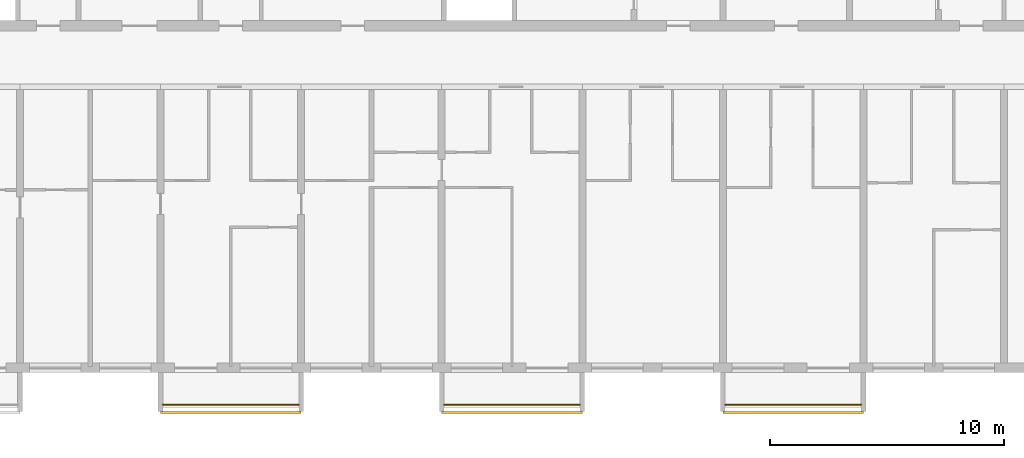
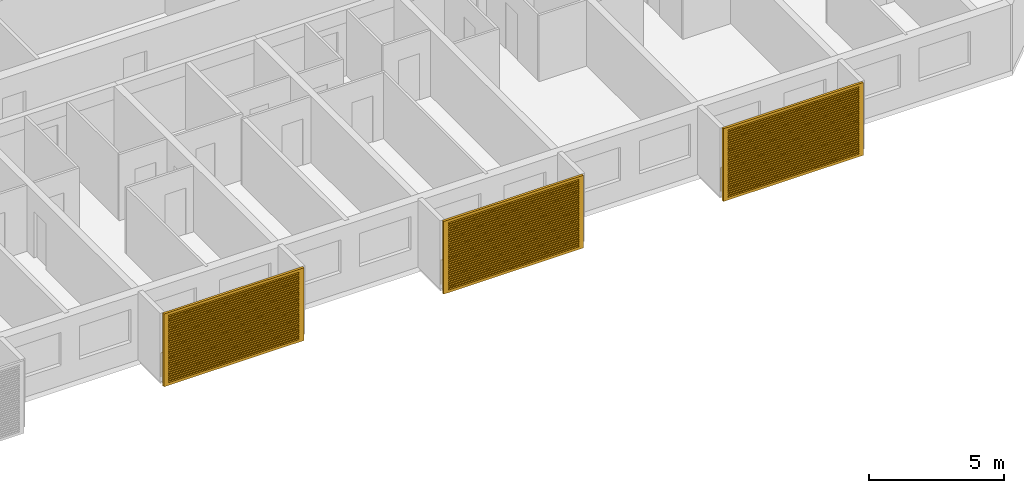
# One storey, part 15 of 32: 3 railings, 3 shading devices.
"""IFC4 building model written with IfcOpenShell, lengths in metres."""

from ifc_helpers import new_model, si_unit, direction, frame, origin, origin_2d, place, context, subcontext, project, spatial, polyline, circle, outline, extrude, source, transform, mapped, material, material_profile, profile_set, type_object, element, save


model = new_model("IFC4")

# Units and contexts
model_context = context("Model", 3, precision=1e-05, world=origin(), true_north=direction((0.0, 1.0)))
body_context = subcontext(model_context, "Body", "Model", "MODEL_VIEW")
ifc_project = project(units=[si_unit("LENGTHUNIT", "METRE"), si_unit("AREAUNIT", "SQUARE_METRE"), si_unit("VOLUMEUNIT", "CUBIC_METRE"), si_unit("PLANEANGLEUNIT", "RADIAN"), si_unit("MASSUNIT", "GRAM", prefix="KILO")], contexts=[model_context])

# Site, building, storey
site_placement = place(None, origin())
site = spatial("IfcSite", under=ifc_project, at=site_placement, CompositionType="ELEMENT")
building_placement = place(site_placement, origin())
building = spatial("IfcBuilding", under=site, at=building_placement, Name="Poui Terraces", CompositionType="ELEMENT")
storey_placement = place(building_placement, frame((0.0, 0.0, 155.39990234375)))
storey = spatial("IfcBuildingStorey", under=building, at=storey_placement, Name="L43", CompositionType="ELEMENT", Elevation=155.39990234375)

# Railings
ifc_material_1 = material(Name="Painted steel fretwork", Category="steel")
railing_type = type_object("IfcRailingType", Name="BALCONY GUARD 1100", PredefinedType="GUARDRAIL", material=ifc_material_1)
for number, where, name in (
    (1, (48.10009765625, -1.570068359375, 0.0), "BALCONY GUARD"),
    (2, (60.10009765625, -1.570068359375, 0.0), "BALCONY GUARD"),
    (3, (72.10009765625, -1.570068359375, 0.0), "BALCONY GUARD"),
):
    element("IfcRailing", number, at=place(storey_placement, frame(where)), inside=storey, type_object=railing_type, Name=name, PredefinedType="GUARDRAIL", context=body_context, shape_type="SweptSolid", body=[
        extrude(circle(Radius=0.02392578125, at=origin_2d()), frame((0.0, 0.0, 1.076171875), z_axis=(1.0, 0.0, 0.0), x_axis=(0.0, 1.0, 0.0)), (0.0, 0.0, 1.0), 5.7998046875),
        extrude(circle(Radius=0.02099609375, at=origin_2d()), origin(), (0.0, 0.0, 1.0), 1.052001953125),
        extrude(circle(Radius=0.02099609375, at=origin_2d()), frame((0.966552734375, 0.0, 0.0)), (0.0, 0.0, 1.0), 1.052001953125),
        extrude(circle(Radius=0.02099609375, at=origin_2d()), frame((1.933349609375, 0.0, 0.0)), (0.0, 0.0, 1.0), 1.052001953125),
        extrude(circle(Radius=0.02099609375, at=origin_2d()), frame((2.89990234375, 0.0, 0.0)), (0.0, 0.0, 1.0), 1.052001953125),
        extrude(circle(Radius=0.02099609375, at=origin_2d()), frame((3.866455078125, 0.0, 0.0)), (0.0, 0.0, 1.0), 1.052001953125),
        extrude(circle(Radius=0.02099609375, at=origin_2d()), frame((4.833251953125, 0.0, 0.0)), (0.0, 0.0, 1.0), 1.052001953125),
        extrude(circle(Radius=0.02099609375, at=origin_2d()), frame((5.7998046875, 0.0, 0.0)), (0.0, 0.0, 1.0), 1.052001953125),
    ])

# Shading devices
ifc_material_2 = material(Name="Aluminium louvre", Category="aluminium")
ifc_material_profile = material_profile(ifc_material_2, outline(polyline([(-3.0, -1.64990234375), (3.0, -1.64990234375), (3.0, 1.64990234375), (-3.0, 1.64990234375), (-3.0, -1.64990234375)]), holes=[polyline([(-2.800048828125, -1.530029296875), (2.800048828125, -1.530029296875), (2.800048828125, -1.469970703125), (-2.800048828125, -1.469970703125), (-2.800048828125, -1.530029296875)]), polyline([(-2.800048828125, -1.429931640625), (2.800048828125, -1.429931640625), (2.800048828125, -1.3701171875), (-2.800048828125, -1.3701171875), (-2.800048828125, -1.429931640625)]), polyline([(-2.800048828125, -1.330078125), (2.800048828125, -1.330078125), (2.800048828125, -1.27001953125), (-2.800048828125, -1.27001953125), (-2.800048828125, -1.330078125)]), polyline([(-2.800048828125, -1.22998046875), (2.800048828125, -1.22998046875), (2.800048828125, -1.169921875), (-2.800048828125, -1.169921875), (-2.800048828125, -1.22998046875)]), polyline([(-2.800048828125, -1.1298828125), (2.800048828125, -1.1298828125), (2.800048828125, -1.070068359375), (-2.800048828125, -1.070068359375), (-2.800048828125, -1.1298828125)]), polyline([(-2.800048828125, -1.030029296875), (2.800048828125, -1.030029296875), (2.800048828125, -0.969970703125), (-2.800048828125, -0.969970703125), (-2.800048828125, -1.030029296875)]), polyline([(-2.800048828125, -0.929931640625), (2.800048828125, -0.929931640625), (2.800048828125, -0.8701171875), (-2.800048828125, -0.8701171875), (-2.800048828125, -0.929931640625)]), polyline([(-2.800048828125, -0.830078125), (2.800048828125, -0.830078125), (2.800048828125, -0.77001953125), (-2.800048828125, -0.77001953125), (-2.800048828125, -0.830078125)]), polyline([(-2.800048828125, -0.72998046875), (2.800048828125, -0.72998046875), (2.800048828125, -0.669921875), (-2.800048828125, -0.669921875), (-2.800048828125, -0.72998046875)]), polyline([(-2.800048828125, -0.6298828125), (2.800048828125, -0.6298828125), (2.800048828125, -0.570068359375), (-2.800048828125, -0.570068359375), (-2.800048828125, -0.6298828125)]), polyline([(-2.800048828125, -0.530029296875), (2.800048828125, -0.530029296875), (2.800048828125, -0.469970703125), (-2.800048828125, -0.469970703125), (-2.800048828125, -0.530029296875)]), polyline([(-2.800048828125, -0.429931640625), (2.800048828125, -0.429931640625), (2.800048828125, -0.3701171875), (-2.800048828125, -0.3701171875), (-2.800048828125, -0.429931640625)]), polyline([(-2.800048828125, -0.330078125), (2.800048828125, -0.330078125), (2.800048828125, -0.27001953125), (-2.800048828125, -0.27001953125), (-2.800048828125, -0.330078125)]), polyline([(-2.800048828125, -0.22998046875), (2.800048828125, -0.22998046875), (2.800048828125, -0.169921875), (-2.800048828125, -0.169921875), (-2.800048828125, -0.22998046875)]), polyline([(-2.800048828125, -0.1298828125), (2.800048828125, -0.1298828125), (2.800048828125, -0.070068359375), (-2.800048828125, -0.070068359375), (-2.800048828125, -0.1298828125)]), polyline([(-2.800048828125, -0.030029296875), (2.800048828125, -0.030029296875), (2.800048828125, 0.030029296875), (-2.800048828125, 0.030029296875), (-2.800048828125, -0.030029296875)]), polyline([(-2.800048828125, 0.070068359375), (2.800048828125, 0.070068359375), (2.800048828125, 0.1298828125), (-2.800048828125, 0.1298828125), (-2.800048828125, 0.070068359375)]), polyline([(-2.800048828125, 0.169921875), (2.800048828125, 0.169921875), (2.800048828125, 0.22998046875), (-2.800048828125, 0.22998046875), (-2.800048828125, 0.169921875)]), polyline([(-2.800048828125, 0.27001953125), (2.800048828125, 0.27001953125), (2.800048828125, 0.330078125), (-2.800048828125, 0.330078125), (-2.800048828125, 0.27001953125)]), polyline([(-2.800048828125, 0.3701171875), (2.800048828125, 0.3701171875), (2.800048828125, 0.429931640625), (-2.800048828125, 0.429931640625), (-2.800048828125, 0.3701171875)]), polyline([(-2.800048828125, 0.469970703125), (2.800048828125, 0.469970703125), (2.800048828125, 0.530029296875), (-2.800048828125, 0.530029296875), (-2.800048828125, 0.469970703125)]), polyline([(-2.800048828125, 0.570068359375), (2.800048828125, 0.570068359375), (2.800048828125, 0.6298828125), (-2.800048828125, 0.6298828125), (-2.800048828125, 0.570068359375)]), polyline([(-2.800048828125, 0.669921875), (2.800048828125, 0.669921875), (2.800048828125, 0.72998046875), (-2.800048828125, 0.72998046875), (-2.800048828125, 0.669921875)]), polyline([(-2.800048828125, 0.77001953125), (2.800048828125, 0.77001953125), (2.800048828125, 0.830078125), (-2.800048828125, 0.830078125), (-2.800048828125, 0.77001953125)]), polyline([(-2.800048828125, 0.8701171875), (2.800048828125, 0.8701171875), (2.800048828125, 0.929931640625), (-2.800048828125, 0.929931640625), (-2.800048828125, 0.8701171875)]), polyline([(-2.800048828125, 0.969970703125), (2.800048828125, 0.969970703125), (2.800048828125, 1.030029296875), (-2.800048828125, 1.030029296875), (-2.800048828125, 0.969970703125)]), polyline([(-2.800048828125, 1.070068359375), (2.800048828125, 1.070068359375), (2.800048828125, 1.1298828125), (-2.800048828125, 1.1298828125), (-2.800048828125, 1.070068359375)]), polyline([(-2.800048828125, 1.169921875), (2.800048828125, 1.169921875), (2.800048828125, 1.22998046875), (-2.800048828125, 1.22998046875), (-2.800048828125, 1.169921875)]), polyline([(-2.800048828125, 1.27001953125), (2.800048828125, 1.27001953125), (2.800048828125, 1.330078125), (-2.800048828125, 1.330078125), (-2.800048828125, 1.27001953125)]), polyline([(-2.800048828125, 1.3701171875), (2.800048828125, 1.3701171875), (2.800048828125, 1.429931640625), (-2.800048828125, 1.429931640625), (-2.800048828125, 1.3701171875)]), polyline([(-2.800048828125, 1.469970703125), (2.800048828125, 1.469970703125), (2.800048828125, 1.530029296875), (-2.800048828125, 1.530029296875), (-2.800048828125, 1.469970703125)])]), Name="JALOUSIE LOUVRE SHUTTER 6000X3300")
ifc_profile_set = profile_set([ifc_material_profile], Name="Aluminium louvre")
shading_device_type = type_object("IfcShadingDeviceType", Name="JALOUSIE LOUVRE SHUTTER 6000X3300", PredefinedType="JALOUSIE", material=ifc_profile_set)
shared_shape = source(origin(), body_context, "Body", "SweptSolid", [
    extrude(outline(polyline([(-3.0, -1.64990234375), (3.0, -1.64990234375), (3.0, 1.64990234375), (-3.0, 1.64990234375), (-3.0, -1.64990234375)]), holes=[polyline([(-2.800048828125, -1.530029296875), (2.800048828125, -1.530029296875), (2.800048828125, -1.469970703125), (-2.800048828125, -1.469970703125), (-2.800048828125, -1.530029296875)]), polyline([(-2.800048828125, -1.429931640625), (2.800048828125, -1.429931640625), (2.800048828125, -1.3701171875), (-2.800048828125, -1.3701171875), (-2.800048828125, -1.429931640625)]), polyline([(-2.800048828125, -1.330078125), (2.800048828125, -1.330078125), (2.800048828125, -1.27001953125), (-2.800048828125, -1.27001953125), (-2.800048828125, -1.330078125)]), polyline([(-2.800048828125, -1.22998046875), (2.800048828125, -1.22998046875), (2.800048828125, -1.169921875), (-2.800048828125, -1.169921875), (-2.800048828125, -1.22998046875)]), polyline([(-2.800048828125, -1.1298828125), (2.800048828125, -1.1298828125), (2.800048828125, -1.070068359375), (-2.800048828125, -1.070068359375), (-2.800048828125, -1.1298828125)]), polyline([(-2.800048828125, -1.030029296875), (2.800048828125, -1.030029296875), (2.800048828125, -0.969970703125), (-2.800048828125, -0.969970703125), (-2.800048828125, -1.030029296875)]), polyline([(-2.800048828125, -0.929931640625), (2.800048828125, -0.929931640625), (2.800048828125, -0.8701171875), (-2.800048828125, -0.8701171875), (-2.800048828125, -0.929931640625)]), polyline([(-2.800048828125, -0.830078125), (2.800048828125, -0.830078125), (2.800048828125, -0.77001953125), (-2.800048828125, -0.77001953125), (-2.800048828125, -0.830078125)]), polyline([(-2.800048828125, -0.72998046875), (2.800048828125, -0.72998046875), (2.800048828125, -0.669921875), (-2.800048828125, -0.669921875), (-2.800048828125, -0.72998046875)]), polyline([(-2.800048828125, -0.6298828125), (2.800048828125, -0.6298828125), (2.800048828125, -0.570068359375), (-2.800048828125, -0.570068359375), (-2.800048828125, -0.6298828125)]), polyline([(-2.800048828125, -0.530029296875), (2.800048828125, -0.530029296875), (2.800048828125, -0.469970703125), (-2.800048828125, -0.469970703125), (-2.800048828125, -0.530029296875)]), polyline([(-2.800048828125, -0.429931640625), (2.800048828125, -0.429931640625), (2.800048828125, -0.3701171875), (-2.800048828125, -0.3701171875), (-2.800048828125, -0.429931640625)]), polyline([(-2.800048828125, -0.330078125), (2.800048828125, -0.330078125), (2.800048828125, -0.27001953125), (-2.800048828125, -0.27001953125), (-2.800048828125, -0.330078125)]), polyline([(-2.800048828125, -0.22998046875), (2.800048828125, -0.22998046875), (2.800048828125, -0.169921875), (-2.800048828125, -0.169921875), (-2.800048828125, -0.22998046875)]), polyline([(-2.800048828125, -0.1298828125), (2.800048828125, -0.1298828125), (2.800048828125, -0.070068359375), (-2.800048828125, -0.070068359375), (-2.800048828125, -0.1298828125)]), polyline([(-2.800048828125, -0.030029296875), (2.800048828125, -0.030029296875), (2.800048828125, 0.030029296875), (-2.800048828125, 0.030029296875), (-2.800048828125, -0.030029296875)]), polyline([(-2.800048828125, 0.070068359375), (2.800048828125, 0.070068359375), (2.800048828125, 0.1298828125), (-2.800048828125, 0.1298828125), (-2.800048828125, 0.070068359375)]), polyline([(-2.800048828125, 0.169921875), (2.800048828125, 0.169921875), (2.800048828125, 0.22998046875), (-2.800048828125, 0.22998046875), (-2.800048828125, 0.169921875)]), polyline([(-2.800048828125, 0.27001953125), (2.800048828125, 0.27001953125), (2.800048828125, 0.330078125), (-2.800048828125, 0.330078125), (-2.800048828125, 0.27001953125)]), polyline([(-2.800048828125, 0.3701171875), (2.800048828125, 0.3701171875), (2.800048828125, 0.429931640625), (-2.800048828125, 0.429931640625), (-2.800048828125, 0.3701171875)]), polyline([(-2.800048828125, 0.469970703125), (2.800048828125, 0.469970703125), (2.800048828125, 0.530029296875), (-2.800048828125, 0.530029296875), (-2.800048828125, 0.469970703125)]), polyline([(-2.800048828125, 0.570068359375), (2.800048828125, 0.570068359375), (2.800048828125, 0.6298828125), (-2.800048828125, 0.6298828125), (-2.800048828125, 0.570068359375)]), polyline([(-2.800048828125, 0.669921875), (2.800048828125, 0.669921875), (2.800048828125, 0.72998046875), (-2.800048828125, 0.72998046875), (-2.800048828125, 0.669921875)]), polyline([(-2.800048828125, 0.77001953125), (2.800048828125, 0.77001953125), (2.800048828125, 0.830078125), (-2.800048828125, 0.830078125), (-2.800048828125, 0.77001953125)]), polyline([(-2.800048828125, 0.8701171875), (2.800048828125, 0.8701171875), (2.800048828125, 0.929931640625), (-2.800048828125, 0.929931640625), (-2.800048828125, 0.8701171875)]), polyline([(-2.800048828125, 0.969970703125), (2.800048828125, 0.969970703125), (2.800048828125, 1.030029296875), (-2.800048828125, 1.030029296875), (-2.800048828125, 0.969970703125)]), polyline([(-2.800048828125, 1.070068359375), (2.800048828125, 1.070068359375), (2.800048828125, 1.1298828125), (-2.800048828125, 1.1298828125), (-2.800048828125, 1.070068359375)]), polyline([(-2.800048828125, 1.169921875), (2.800048828125, 1.169921875), (2.800048828125, 1.22998046875), (-2.800048828125, 1.22998046875), (-2.800048828125, 1.169921875)]), polyline([(-2.800048828125, 1.27001953125), (2.800048828125, 1.27001953125), (2.800048828125, 1.330078125), (-2.800048828125, 1.330078125), (-2.800048828125, 1.27001953125)]), polyline([(-2.800048828125, 1.3701171875), (2.800048828125, 1.3701171875), (2.800048828125, 1.429931640625), (-2.800048828125, 1.429931640625), (-2.800048828125, 1.3701171875)]), polyline([(-2.800048828125, 1.469970703125), (2.800048828125, 1.469970703125), (2.800048828125, 1.530029296875), (-2.800048828125, 1.530029296875), (-2.800048828125, 1.469970703125)])]), origin(), (0.0, 0.0, 1.0), 0.099853515625),
])
for number, where, z_axis, x_axis, name in (
    (4, (51.0, -1.85009765625, 1.4501953125), (0.0, -1.0, 0.0), (1.0, 0.0, 0.0), "JALOUSIE LOUVRE SHUTTER"),
    (5, (63.0, -1.85009765625, 1.4501953125), (0.0, -1.0, 0.0), (1.0, 0.0, 0.0), "JALOUSIE LOUVRE SHUTTER"),
    (6, (75.0, -1.85009765625, 1.4501953125), (0.0, -1.0, 0.0), (1.0, 0.0, 0.0), "JALOUSIE LOUVRE SHUTTER"),
):
    element("IfcShadingDevice", number, at=place(storey_placement, frame(where, z_axis=z_axis, x_axis=x_axis)), inside=storey, type_object=shading_device_type, Name=name, PredefinedType="JALOUSIE", context=body_context, shape_type="MappedRepresentation", body=[
        mapped(shared_shape, transform((0.0, 0.0, 0.0))),
    ])

save(model, "model.ifc")
